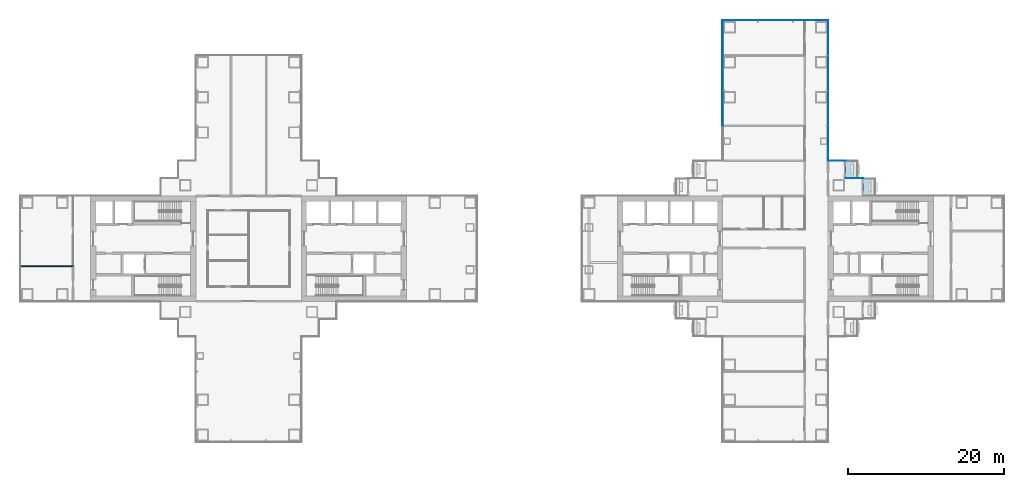
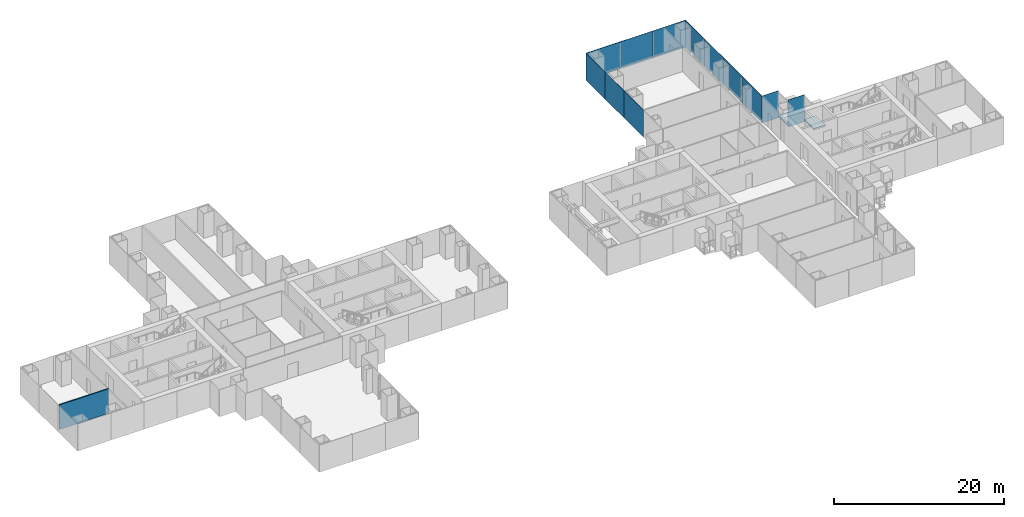
# One storey, part 12 of 21: 12 plates, 2 slabs, 1 wall, 4 elements without a shape of their own.
"""IFC4 building model written with IfcOpenShell, lengths in metres."""

import ifcopenshell
import ifcopenshell.guid

model = None  # the IFC model being written
_history = None  # IfcOwnerHistory: only IFC2X3 demands one
_inside = {}  # id of a spatial element -> (the spatial element, [elements in it])
_under = {}  # id of a project, library or spatial element -> (it, [spatial elements below it])
_declared = {}  # id of a project -> (the project, [libraries it declares])
_typed = {}  # id of a type object -> (the type object, [elements of that type])
_made_of = {}  # id of a material, layer set ... -> (it, [elements and type objects made of it])


def new_model(schema):
    """Start an empty IFC model of exactly this schema.

    Asked for "IFC4X3", IfcOpenShell would pick the latest addendum, in which some entities
    have other attributes; the version numbers below select the first issue.
    IFC2X3 requires an IfcOwnerHistory on every rooted entity: one is made here for all.
    """
    global model, _history
    if schema == "IFC4X3":
        model = ifcopenshell.file(schema_version=(4, 3, 0, 0))
    else:
        model = ifcopenshell.file(schema=schema)
    _inside.clear()
    _under.clear()
    _declared.clear()
    _typed.clear()
    _made_of.clear()
    _history = None
    if model.schema == "IFC2X3":
        org = make("IfcOrganization", Name="unknown")
        user = make(
            "IfcPersonAndOrganization",
            ThePerson=make("IfcPerson", FamilyName="unknown"),
            TheOrganization=org,
        )
        app = make(
            "IfcApplication",
            ApplicationDeveloper=org,
            Version="unknown",
            ApplicationFullName="unknown",
            ApplicationIdentifier="unknown",
        )
        _history = make(
            "IfcOwnerHistory",
            OwningUser=user,
            OwningApplication=app,
            ChangeAction="ADDED",
            CreationDate=0,
        )
    return model


def make(cls, **values):
    """One entity of the class cls with the attributes given. An attribute that is None is left unset."""
    return model.create_entity(
        cls, **{name: value for name, value in values.items() if value is not None}
    )


def rooted(cls, **values):
    """An entity with a GlobalId (a new one), such as an element, a storey or a relation."""
    return make(cls, GlobalId=ifcopenshell.guid.new(), OwnerHistory=_history, **values)


def si_unit(unit_type, name, prefix=None):
    """IfcSIUnit, for example si_unit("LENGTHUNIT", "METRE", prefix="MILLI")."""
    return make("IfcSIUnit", UnitType=unit_type, Prefix=prefix, Name=name)


def assignment(units):
    """IfcUnitAssignment: the units of a project."""
    return None if units is None else make("IfcUnitAssignment", Units=units)


def point(xyz):
    """IfcCartesianPoint."""
    return None if xyz is None else make("IfcCartesianPoint", Coordinates=xyz)


def direction(xyz):
    """IfcDirection."""
    return None if xyz is None else make("IfcDirection", DirectionRatios=xyz)


def frame(location, z_axis=None, x_axis=None):
    """IfcAxis2Placement3D, a coordinate frame: its origin and axes. An axis left out is left unset."""
    return make(
        "IfcAxis2Placement3D",
        Location=point(location),
        Axis=direction(z_axis),
        RefDirection=direction(x_axis),
    )


def frame_2d(location, x_axis=None):
    """IfcAxis2Placement2D, a coordinate frame in the plane: its origin and x axis."""
    return make(
        "IfcAxis2Placement2D", Location=point(location), RefDirection=direction(x_axis)
    )


def origin():
    """The frame at (0, 0, 0) with its axes left unset."""
    return frame((0.0, 0.0, 0.0))


def origin_2d():
    """The frame at (0, 0) in the plane with its x axis left unset."""
    return frame_2d((0.0, 0.0))


def place(relative_to, where):
    """IfcLocalPlacement: puts the frame where relative to a parent placement (None: the world)."""
    return make(
        "IfcLocalPlacement", PlacementRelTo=relative_to, RelativePlacement=where
    )


def context(
    kind, dimensions, precision=None, world=None, true_north=None, identifier=None
):
    """IfcGeometricRepresentationContext, for example the 3D "Model" context."""
    return make(
        "IfcGeometricRepresentationContext",
        ContextIdentifier=identifier,
        ContextType=kind,
        CoordinateSpaceDimension=dimensions,
        Precision=precision,
        WorldCoordinateSystem=world,
        TrueNorth=true_north,
    )


def subcontext(parent, identifier, kind, view, scale=None):
    """IfcGeometricRepresentationSubContext, for example "Body" below "Model"."""
    return make(
        "IfcGeometricRepresentationSubContext",
        ContextIdentifier=identifier,
        ContextType=kind,
        ParentContext=parent,
        TargetScale=scale,
        TargetView=view,
    )


def project(units=None, contexts=None):
    """IfcProject with its units and contexts."""
    return rooted(
        "IfcProject",
        Name="project",
        RepresentationContexts=contexts,
        UnitsInContext=assignment(units),
    )


def spatial(cls, under=None, at=None, **own):
    """A site, building, storey or space (cls), placed at a placement, below another one or the project."""
    s = rooted(cls, ObjectPlacement=at, **own)
    if under is not None:
        _under.setdefault(under.id(), (under, []))[1].append(s)
    return s


def polyline(points):
    """IfcPolyline through the points."""
    return make("IfcPolyline", Points=[point(p) for p in points])


def profile(cls, at=None, kind="AREA", **sizes):
    """A parametric profile (cls). Its sizes go by their IFC names, for example OverallWidth=200.0."""
    return make(cls, ProfileType=kind, Position=at, **sizes)


def rectangle(**sizes):
    """IfcRectangleProfileDef."""
    return profile("IfcRectangleProfileDef", **sizes)


def outline(outer, holes=None, kind="AREA"):
    """IfcArbitraryClosedProfileDef: a profile drawn as a closed curve; with holes, ...WithVoids."""
    if holes is None:
        return make("IfcArbitraryClosedProfileDef", ProfileType=kind, OuterCurve=outer)
    return make(
        "IfcArbitraryProfileDefWithVoids",
        ProfileType=kind,
        OuterCurve=outer,
        InnerCurves=holes,
    )


def extrude(swept, where, along, depth):
    """IfcExtrudedAreaSolid: the profile swept, set in the frame where, extruded along a direction by depth."""
    return make(
        "IfcExtrudedAreaSolid",
        SweptArea=swept,
        Position=where,
        ExtrudedDirection=direction(along),
        Depth=depth,
    )


def shape(context_of_items, identifier, shape_type, items):
    """IfcShapeRepresentation: the items that make up one representation, for example the "Body"."""
    return make(
        "IfcShapeRepresentation",
        ContextOfItems=context_of_items,
        RepresentationIdentifier=identifier,
        RepresentationType=shape_type,
        Items=items,
    )


def material(Name=None, Category=None):
    """IfcMaterial."""
    return make("IfcMaterial", Name=Name, Category=Category)


def layer(
    of_material, thickness, ventilated=None, Name=None, Category=None, Priority=None
):
    """IfcMaterialLayer: one layer of a wall or slab, of a material (None: an air gap)."""
    return make(
        "IfcMaterialLayer",
        Material=of_material,
        LayerThickness=thickness,
        IsVentilated=ventilated,
        Name=Name,
        Category=Category,
        Priority=Priority,
    )


def layer_set(layers, Name=None):
    """IfcMaterialLayerSet."""
    return make("IfcMaterialLayerSet", MaterialLayers=layers, LayerSetName=Name)


def made_of(thing, what):
    """Note that an element or type object is made of a material, layer set ...; save() writes the relation."""
    if what is not None:
        _made_of.setdefault(what.id(), (what, []))[1].append(thing)
    return thing


def type_object(cls, material=None, **own):
    """A type object (cls), such as IfcWallType, which elements share."""
    return made_of(rooted(cls, **own), material)


def element(
    cls,
    number,
    at=None,
    inside=None,
    cuts=None,
    type_object=None,
    material=None,
    context=None,
    identifier="Body",
    shape_type=None,
    held_by="IfcProductDefinitionShape",
    body=None,
    shapes=None,
    **own,
):
    """One element of the class cls, such as IfcWall. Its Tag is "e" and its number.

    at: its placement. inside: the storey or other place that contains it. cuts: it is an
    opening in that element (IfcRelVoidsElement). A single representation is given by context,
    identifier, shape_type and body (its items); several are given by shapes. held_by: the class
    of the entity that holds the representations. save() writes the other relations.
    """
    e = rooted(cls, Tag="e%d" % number, ObjectPlacement=at, **own)
    if body is not None:
        shapes = [shape(context, identifier, shape_type, body)]
    if shapes is not None:
        e.Representation = make(held_by, Representations=shapes)
    if inside is not None:
        _inside.setdefault(inside.id(), (inside, []))[1].append(e)
    if cuts is not None:
        rooted(
            "IfcRelVoidsElement", RelatingBuildingElement=cuts, RelatedOpeningElement=e
        )
    if type_object is not None:
        _typed.setdefault(type_object.id(), (type_object, []))[1].append(e)
    return made_of(e, material)


def aggregate(whole, parts):
    """IfcRelAggregates: a whole, such as a stair, and the parts it consists of."""
    return rooted("IfcRelAggregates", RelatingObject=whole, RelatedObjects=parts)


def save(model, path):
    """Write the relations noted so far, then the file.

    IfcRelAggregates (storeys below a building ...), IfcRelContainedInSpatialStructure (elements
    in a storey), IfcRelDefinesByType, IfcRelAssociatesMaterial and IfcRelDeclares: one each for
    every whole, place, type object, material and project.
    """
    for whole, parts in _under.values():
        aggregate(whole, parts)
    for where, things in _inside.values():
        rooted(
            "IfcRelContainedInSpatialStructure",
            RelatedElements=things,
            RelatingStructure=where,
        )
    for kind, things in _typed.values():
        rooted("IfcRelDefinesByType", RelatedObjects=things, RelatingType=kind)
    for what, things in _made_of.values():
        rooted("IfcRelAssociatesMaterial", RelatedObjects=things, RelatingMaterial=what)
    for by, libraries in _declared.values():
        rooted("IfcRelDeclares", RelatingContext=by, RelatedDefinitions=libraries)
    model.write(path)


model = new_model("IFC4")

# Units and contexts
model_context = context("Model", 3, precision=1e-05, world=origin(), true_north=direction((0.0, 1.0)))
body_context = subcontext(model_context, "Body", "Model", "MODEL_VIEW")
ifc_project = project(units=[si_unit("LENGTHUNIT", "METRE"), si_unit("AREAUNIT", "SQUARE_METRE"), si_unit("VOLUMEUNIT", "CUBIC_METRE"), si_unit("PLANEANGLEUNIT", "RADIAN"), si_unit("MASSUNIT", "GRAM", prefix="KILO")], contexts=[model_context])

# Site, building, storey
site_placement = place(None, origin())
site = spatial("IfcSite", under=ifc_project, at=site_placement, CompositionType="ELEMENT")
building_placement = place(site_placement, origin())
building = spatial("IfcBuilding", under=site, at=building_placement, Name="Shamsa Quay Exchange Towers", CompositionType="ELEMENT")
storey_placement = place(building_placement, frame((0.0, 0.0, 49.800048828125)))
storey = spatial("IfcBuildingStorey", under=building, at=storey_placement, Name="L10", CompositionType="ELEMENT", Elevation=49.800048828125)

# Slabs
ifc_material_1 = material(Name="Precast concrete C40/50", Category="concrete")
ifc_layer_1 = layer(ifc_material_1, 0.25)
ifc_layer_set_1 = layer_set([ifc_layer_1], Name="BALCONY SLAB 250")
slab_type = type_object("IfcSlabType", Name="BALCONY SLAB 250", PredefinedType="FLOOR", material=ifc_layer_set_1)
slab_1_placement = place(storey_placement, frame((0.0, 0.0, -0.25)))
element("IfcSlab", 1, at=slab_1_placement, inside=storey, type_object=slab_type, Name="Balcony T2-PKES L10", PredefinedType="FLOOR", context=body_context, shape_type="SweptSolid", body=[
    extrude(outline(polyline([(42.75, 9.0380859375), (42.75, 11.25), (44.300048828125, 11.25), (44.300048828125, 9.0380859375), (42.75, 9.0380859375)])), origin(), (0.0, 0.0, 1.0), 0.25),
])
slab_2_placement = place(storey_placement, frame((0.0, 0.0, -0.25)))
element("IfcSlab", 2, at=slab_2_placement, inside=storey, type_object=slab_type, Name="Balcony T2-PKES L10", PredefinedType="FLOOR", context=body_context, shape_type="SweptSolid", body=[
    extrude(outline(polyline([(45.0, 6.7880859375), (45.0, 9.0), (46.550048828125, 9.0), (46.550048828125, 6.7880859375), (45.0, 6.7880859375)])), origin(), (0.0, 0.0, 1.0), 0.25),
])

# Curtain wall, plates
ifc_material_2 = material(Name="Aluminium EN AW-6063 T6, black anodised", Category="aluminium")
ifc_layer_2 = layer(ifc_material_2, 0.280029296875)
ifc_layer_set_2 = layer_set([ifc_layer_2], Name="CW-1 UNITISED VISION GLASS")
curtain_wall_type_1 = type_object("IfcCurtainWallType", Name="CW-1 UNITISED VISION GLASS", PredefinedType="NOTDEFINED", material=ifc_layer_set_2)
curtain_wall_1_placement = place(storey_placement, origin())
curtain_wall_1 = element("IfcCurtainWall", 3, at=curtain_wall_1_placement, inside=storey, type_object=curtain_wall_type_1, Name="CW1 T2-FLK-U+S L10", PredefinedType="NOTDEFINED")
ifc_material_3 = material(Name="Glass, laminated, dark tinted", Category="glass")
ifc_layer_3 = layer(ifc_material_3, 0.0400390625)
ifc_layer_set_3 = layer_set([ifc_layer_3], Name="CW-1 VISION GLASS 40")
plate_type_1 = type_object("IfcPlateType", Name="CW-1 VISION GLASS 40", PredefinedType="CURTAIN_PANEL", material=ifc_layer_set_3)
plate_1_placement = place(storey_placement, frame((40.52001953125, 13.53076171875, -0.35009765625), z_axis=(0.0, 0.0, 1.0), x_axis=(0.0, 1.0, 0.0)))
plate_1 = element("IfcPlate", 4, at=plate_1_placement, type_object=plate_type_1, Name="CW1 glass panel", PredefinedType="CURTAIN_PANEL", context=body_context, shape_type="SweptSolid", body=[
    extrude(rectangle(XDim=4.485595703125, YDim=0.0400390625, at=origin_2d()), origin(), (0.0, 0.0, 1.0), 3.89990234375),
])
plate_2_placement = place(storey_placement, frame((40.52001953125, 18.023681640625, -0.35009765625), z_axis=(0.0, 0.0, 1.0), x_axis=(0.0, 1.0, 0.0)))
plate_2 = element("IfcPlate", 5, at=plate_2_placement, type_object=plate_type_1, Name="CW1 glass panel", PredefinedType="CURTAIN_PANEL", context=body_context, shape_type="SweptSolid", body=[
    extrude(rectangle(XDim=4.48046875, YDim=0.0400390625, at=origin_2d()), origin(), (0.0, 0.0, 1.0), 3.89990234375),
])
plate_3_placement = place(storey_placement, frame((40.52001953125, 22.51416015625, -0.35009765625), z_axis=(0.0, 0.0, 1.0), x_axis=(0.0, 1.0, 0.0)))
plate_3 = element("IfcPlate", 6, at=plate_3_placement, type_object=plate_type_1, Name="CW1 glass panel", PredefinedType="CURTAIN_PANEL", context=body_context, shape_type="SweptSolid", body=[
    extrude(rectangle(XDim=4.48046875, YDim=0.0400390625, at=origin_2d()), origin(), (0.0, 0.0, 1.0), 3.89990234375),
])
plate_4_placement = place(storey_placement, frame((40.52001953125, 27.00732421875, -0.35009765625), z_axis=(0.0, 0.0, 1.0), x_axis=(0.0, 1.0, 0.0)))
plate_4 = element("IfcPlate", 7, at=plate_4_placement, type_object=plate_type_1, Name="CW1 glass panel", PredefinedType="CURTAIN_PANEL", context=body_context, shape_type="SweptSolid", body=[
    extrude(rectangle(XDim=4.485595703125, YDim=0.0400390625, at=origin_2d()), origin(), (0.0, 0.0, 1.0), 3.89990234375),
])
aggregate(curtain_wall_1, [plate_1, plate_2, plate_3, plate_4])

curtain_wall_2_placement = place(storey_placement, origin())
curtain_wall_2 = element("IfcCurtainWall", 8, at=curtain_wall_2_placement, inside=storey, type_object=curtain_wall_type_1, Name="CW1 T2-END-U+ L10", PredefinedType="NOTDEFINED")
plate_5_placement = place(storey_placement, frame((38.25244140625, 29.27001953125, -0.35009765625), z_axis=(0.0, 0.0, 1.0), x_axis=(-1.0, 0.0, 0.0)))
plate_5 = element("IfcPlate", 9, at=plate_5_placement, type_object=plate_type_1, Name="CW1 glass panel", PredefinedType="CURTAIN_PANEL", context=body_context, shape_type="SweptSolid", body=[
    extrude(rectangle(XDim=4.4951171875, YDim=0.0400390625, at=origin_2d()), origin(), (0.0, 0.0, 1.0), 3.89990234375),
])
plate_6_placement = place(storey_placement, frame((33.75, 29.27001953125, -0.35009765625), z_axis=(0.0, 0.0, 1.0), x_axis=(-1.0, 0.0, 0.0)))
plate_6 = element("IfcPlate", 10, at=plate_6_placement, type_object=plate_type_1, Name="CW1 glass panel", PredefinedType="CURTAIN_PANEL", context=body_context, shape_type="SweptSolid", body=[
    extrude(rectangle(XDim=4.489990234375, YDim=0.0400390625, at=origin_2d()), origin(), (0.0, 0.0, 1.0), 3.89990234375),
])
plate_7_placement = place(storey_placement, frame((29.24755859375, 29.27001953125, -0.35009765625), z_axis=(0.0, 0.0, 1.0), x_axis=(-1.0, 0.0, 0.0)))
plate_7 = element("IfcPlate", 11, at=plate_7_placement, type_object=plate_type_1, Name="CW1 glass panel", PredefinedType="CURTAIN_PANEL", context=body_context, shape_type="SweptSolid", body=[
    extrude(rectangle(XDim=4.4951171875, YDim=0.0400390625, at=origin_2d()), origin(), (0.0, 0.0, 1.0), 3.89990234375),
])
aggregate(curtain_wall_2, [plate_5, plate_6, plate_7])

curtain_wall_3_placement = place(storey_placement, origin())
curtain_wall_3 = element("IfcCurtainWall", 12, at=curtain_wall_3_placement, inside=storey, type_object=curtain_wall_type_1, Name="CW1 T2-FLK-U+N L10", PredefinedType="NOTDEFINED")
plate_8_placement = place(storey_placement, frame((26.97998046875, 27.00244140625, -0.35009765625), z_axis=(0.0, 0.0, 1.0), x_axis=(0.0, -1.0, 0.0)))
plate_8 = element("IfcPlate", 13, at=plate_8_placement, type_object=plate_type_1, Name="CW1 glass panel", PredefinedType="CURTAIN_PANEL", context=body_context, shape_type="SweptSolid", body=[
    extrude(rectangle(XDim=4.4951171875, YDim=0.0400390625, at=origin_2d()), origin(), (0.0, 0.0, 1.0), 3.89990234375),
])
plate_9_placement = place(storey_placement, frame((26.97998046875, 22.5, -0.35009765625), z_axis=(0.0, 0.0, 1.0), x_axis=(0.0, -1.0, 0.0)))
plate_9 = element("IfcPlate", 14, at=plate_9_placement, type_object=plate_type_1, Name="CW1 glass panel", PredefinedType="CURTAIN_PANEL", context=body_context, shape_type="SweptSolid", body=[
    extrude(rectangle(XDim=4.489990234375, YDim=0.0400390625, at=origin_2d()), origin(), (0.0, 0.0, 1.0), 3.89990234375),
])
plate_10_placement = place(storey_placement, frame((26.97998046875, 18.0, -0.35009765625), z_axis=(0.0, 0.0, 1.0), x_axis=(0.0, -1.0, 0.0)))
plate_10 = element("IfcPlate", 15, at=plate_10_placement, type_object=plate_type_1, Name="CW1 glass panel", PredefinedType="CURTAIN_PANEL", context=body_context, shape_type="SweptSolid", body=[
    extrude(rectangle(XDim=4.489990234375, YDim=0.0400390625, at=origin_2d()), origin(), (0.0, 0.0, 1.0), 3.89990234375),
])
aggregate(curtain_wall_3, [plate_8, plate_9, plate_10])

ifc_layer_4 = layer(ifc_material_2, 0.256103515625)
ifc_layer_set_4 = layer_set([ifc_layer_4], Name="CW-4 POCKET SERRATED GLAZING")
curtain_wall_type_2 = type_object("IfcCurtainWallType", Name="CW-4 POCKET SERRATED GLAZING", PredefinedType="NOTDEFINED", material=ifc_layer_set_4)
curtain_wall_4_placement = place(storey_placement, origin())
curtain_wall_4 = element("IfcCurtainWall", 16, at=curtain_wall_4_placement, inside=storey, type_object=curtain_wall_type_2, Name="CW4 PKES L10", PredefinedType="NOTDEFINED")
ifc_layer_5 = layer(ifc_material_3, 0.035888671875)
ifc_layer_set_5 = layer_set([ifc_layer_5], Name="CW-4 POCKET GLASS 36")
plate_type_2 = type_object("IfcPlateType", Name="CW-4 POCKET GLASS 36", PredefinedType="CURTAIN_PANEL", material=ifc_layer_set_5)
plate_11_placement = place(storey_placement, frame((43.875, 9.01806640625, -0.35009765625), z_axis=(0.0, 0.0, 1.0), x_axis=(-1.0, 0.0, 0.0)))
plate_11 = element("IfcPlate", 17, at=plate_11_placement, type_object=plate_type_2, Name="CW4 glass panel", PredefinedType="CURTAIN_PANEL", context=body_context, shape_type="SweptSolid", body=[
    extrude(rectangle(XDim=2.25, YDim=0.035888671875, at=origin_2d()), origin(), (0.0, 0.0, 1.0), 3.89990234375),
])
plate_12_placement = place(storey_placement, frame((41.625, 11.26806640625, -0.35009765625), z_axis=(0.0, 0.0, 1.0), x_axis=(-1.0, 0.0, 0.0)))
plate_12 = element("IfcPlate", 18, at=plate_12_placement, type_object=plate_type_2, Name="CW4 glass panel", PredefinedType="CURTAIN_PANEL", context=body_context, shape_type="SweptSolid", body=[
    extrude(rectangle(XDim=2.25, YDim=0.035888671875, at=origin_2d()), origin(), (0.0, 0.0, 1.0), 3.89990234375),
])
aggregate(curtain_wall_4, [plate_11, plate_12])

# Wall
ifc_material_4 = material(Name="Gypsum board partition on metal studs")
ifc_layer_6 = layer(ifc_material_4, 0.14990234375)
ifc_layer_set_6 = layer_set([ifc_layer_6], Name="Partition 150 mm EI 60")
wall_type = type_object("IfcWallType", Name="Partition 150 mm EI 60", PredefinedType="PARTITIONING", material=ifc_layer_set_6)
wall_placement = place(storey_placement, frame((-56.175048828125, -2.25, 0.0), z_axis=(0.0, 0.0, 1.0), x_axis=(-1.0, 0.0, 0.0)))
element("IfcWall", 19, at=wall_placement, inside=storey, type_object=wall_type, Name="Partition T1-R04-W17", PredefinedType="PARTITIONING", context=body_context, shape_type="SweptSolid", body=[
    extrude(rectangle(XDim=6.72998046875, YDim=0.14990234375, at=frame_2d((3.364990234375, 0.0))), origin(), (0.0, 0.0, 1.0), 3.550048828125),
])

save(model, "model.ifc")
